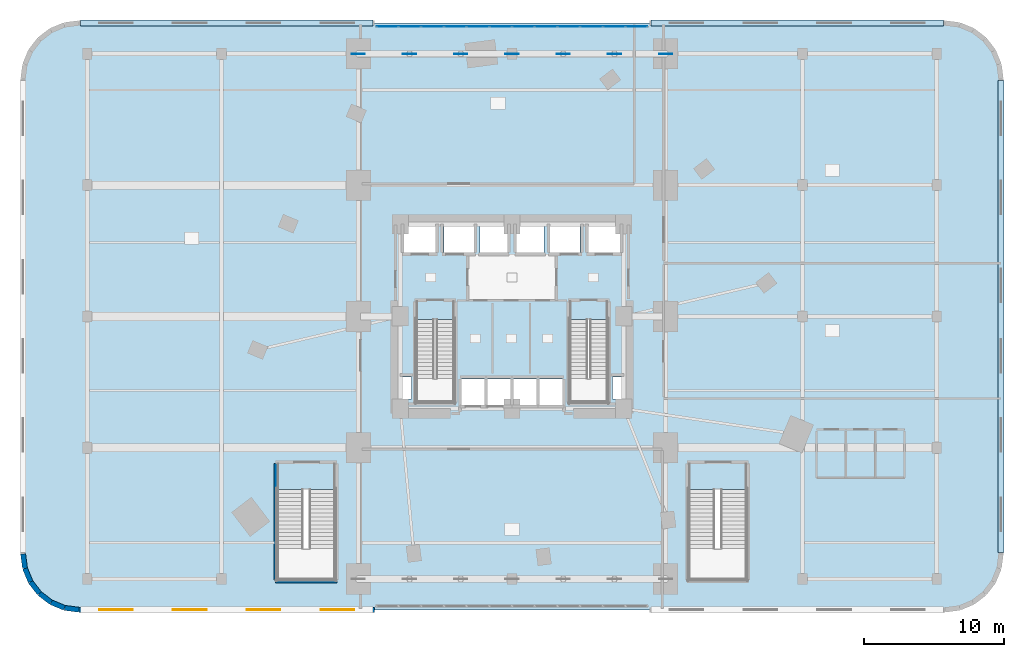
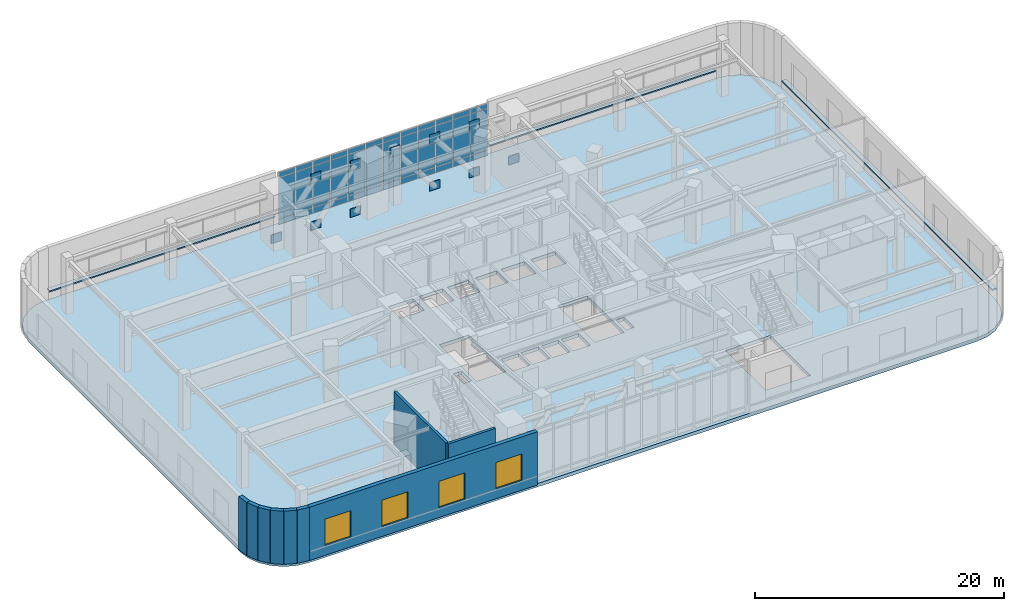
# One storey, part 12 of 19: 50 plates, 9 walls, 4 windows, 1 slab, 4 openings, 1 element without a shape of its own.
"""IFC4 building model written with IfcOpenShell, lengths in metres."""

from ifc_helpers import new_model, si_unit, direction, frame, frame_2d, origin, origin_2d, place, context, subcontext, project, spatial, polyline, rectangle, outline, extrude, material, layer, layer_set, type_object, element, fill, aggregate, save


model = new_model("IFC4")

# Units and contexts
model_context = context("Model", 3, precision=1e-05, world=origin(), true_north=direction((0.0, 1.0)))
body_context = subcontext(model_context, "Body", "Model", "MODEL_VIEW")
ifc_project = project(units=[si_unit("LENGTHUNIT", "METRE"), si_unit("AREAUNIT", "SQUARE_METRE"), si_unit("VOLUMEUNIT", "CUBIC_METRE"), si_unit("PLANEANGLEUNIT", "RADIAN"), si_unit("MASSUNIT", "GRAM", prefix="KILO")], contexts=[model_context])

# Site, building, storey
site_placement = place(None, origin())
site = spatial("IfcSite", under=ifc_project, at=site_placement, CompositionType="ELEMENT")
building_placement = place(site_placement, origin())
building = spatial("IfcBuilding", under=site, at=building_placement, Name="Ndelora Gate Hotel", CompositionType="ELEMENT")
storey_placement = place(building_placement, frame((0.0, 0.0, 16.0)))
storey = spatial("IfcBuildingStorey", under=building, at=storey_placement, Name="L03", CompositionType="ELEMENT", Elevation=16.0)

# Curtain wall, plates
ifc_material_1 = material(Name="Bronze Anodised Unitised Aluminium and Low-E Glass", Category="aluminium")
ifc_layer_1 = layer(ifc_material_1, 0.219970703125)
ifc_layer_set_1 = layer_set([ifc_layer_1], Name="Bronze Anodised Unitised Aluminium and Low-E Glass")
curtain_wall_type = type_object("IfcCurtainWallType", Name="CW-SYS-2", PredefinedType="NOTDEFINED", material=ifc_layer_set_1)
curtain_wall_placement = place(storey_placement, origin())
curtain_wall = element("IfcCurtainWall", 1, at=curtain_wall_placement, inside=storey, type_object=curtain_wall_type, Name="L03 North Banquet Pre-Function Curtain Wall CW2", PredefinedType="NOTDEFINED")
ifc_material_2 = material(Name="Solar-Control Low-E Insulated Glazing", Category="glass")
ifc_layer_2 = layer(ifc_material_2, 0.048095703125)
ifc_layer_set_2 = layer_set([ifc_layer_2], Name="Solar-Control Low-E Insulated Glazing")
plate_type_1 = type_object("IfcPlateType", Name="PL-CW-GLZ36", PredefinedType="CURTAIN_PANEL", material=ifc_layer_set_2)
plate_1_placement = place(storey_placement, frame((8.919921875, 20.75, 0.05908203125), z_axis=(0.0, 0.0, 1.0), x_axis=(-1.0, 0.0, 0.0)))
plate_1 = element("IfcPlate", 2, at=plate_1_placement, type_object=plate_type_1, Name="CW2 panel 1.1", PredefinedType="CURTAIN_PANEL", context=body_context, shape_type="SweptSolid", body=[
    extrude(rectangle(XDim=1.531982421875, YDim=0.048095703125, at=origin_2d()), origin(), (0.0, 0.0, 1.0), 0.514404296875),
])
plate_2_placement = place(storey_placement, frame((8.919921875, 20.75, 0.62646484375), z_axis=(0.0, 0.0, 1.0), x_axis=(-1.0, 0.0, 0.0)))
plate_2 = element("IfcPlate", 3, at=plate_2_placement, type_object=plate_type_1, Name="CW2 panel 1.2", PredefinedType="CURTAIN_PANEL", context=body_context, shape_type="SweptSolid", body=[
    extrude(rectangle(XDim=1.531982421875, YDim=0.048095703125, at=origin_2d()), origin(), (0.0, 0.0, 1.0), 4.01708984375),
])
plate_3_placement = place(storey_placement, frame((8.919921875, 20.75, 4.6962890625), z_axis=(0.0, 0.0, 1.0), x_axis=(-1.0, 0.0, 0.0)))
plate_3 = element("IfcPlate", 4, at=plate_3_placement, type_object=plate_type_1, Name="CW2 panel 1.3", PredefinedType="CURTAIN_PANEL", context=body_context, shape_type="SweptSolid", body=[
    extrude(rectangle(XDim=1.531982421875, YDim=0.048095703125, at=origin_2d()), origin(), (0.0, 0.0, 1.0), 0.464599609375),
])
plate_4_placement = place(storey_placement, frame((7.3125, 20.75, 0.05908203125), z_axis=(0.0, 0.0, 1.0), x_axis=(-1.0, 0.0, 0.0)))
plate_4 = element("IfcPlate", 5, at=plate_4_placement, type_object=plate_type_1, Name="CW2 panel 2.1", PredefinedType="CURTAIN_PANEL", context=body_context, shape_type="SweptSolid", body=[
    extrude(rectangle(XDim=1.56689453125, YDim=0.048095703125, at=origin_2d()), origin(), (0.0, 0.0, 1.0), 0.514404296875),
])
plate_5_placement = place(storey_placement, frame((7.3125, 20.75, 0.62646484375), z_axis=(0.0, 0.0, 1.0), x_axis=(-1.0, 0.0, 0.0)))
plate_5 = element("IfcPlate", 6, at=plate_5_placement, type_object=plate_type_1, Name="CW2 panel 2.2", PredefinedType="CURTAIN_PANEL", context=body_context, shape_type="SweptSolid", body=[
    extrude(rectangle(XDim=1.56689453125, YDim=0.048095703125, at=origin_2d()), origin(), (0.0, 0.0, 1.0), 4.01708984375),
])
plate_6_placement = place(storey_placement, frame((7.3125, 20.75, 4.6962890625), z_axis=(0.0, 0.0, 1.0), x_axis=(-1.0, 0.0, 0.0)))
plate_6 = element("IfcPlate", 7, at=plate_6_placement, type_object=plate_type_1, Name="CW2 panel 2.3", PredefinedType="CURTAIN_PANEL", context=body_context, shape_type="SweptSolid", body=[
    extrude(rectangle(XDim=1.56689453125, YDim=0.048095703125, at=origin_2d()), origin(), (0.0, 0.0, 1.0), 0.464599609375),
])
plate_7_placement = place(storey_placement, frame((5.6875, 20.75, 0.05908203125), z_axis=(0.0, 0.0, 1.0), x_axis=(-1.0, 0.0, 0.0)))
plate_7 = element("IfcPlate", 8, at=plate_7_placement, type_object=plate_type_1, Name="CW2 panel 3.1", PredefinedType="CURTAIN_PANEL", context=body_context, shape_type="SweptSolid", body=[
    extrude(rectangle(XDim=1.56689453125, YDim=0.048095703125, at=origin_2d()), origin(), (0.0, 0.0, 1.0), 0.514404296875),
])
plate_8_placement = place(storey_placement, frame((5.6875, 20.75, 0.62646484375), z_axis=(0.0, 0.0, 1.0), x_axis=(-1.0, 0.0, 0.0)))
plate_8 = element("IfcPlate", 9, at=plate_8_placement, type_object=plate_type_1, Name="CW2 panel 3.2", PredefinedType="CURTAIN_PANEL", context=body_context, shape_type="SweptSolid", body=[
    extrude(rectangle(XDim=1.56689453125, YDim=0.048095703125, at=origin_2d()), origin(), (0.0, 0.0, 1.0), 4.01708984375),
])
plate_9_placement = place(storey_placement, frame((5.6875, 20.75, 4.6962890625), z_axis=(0.0, 0.0, 1.0), x_axis=(-1.0, 0.0, 0.0)))
plate_9 = element("IfcPlate", 10, at=plate_9_placement, type_object=plate_type_1, Name="CW2 panel 3.3", PredefinedType="CURTAIN_PANEL", context=body_context, shape_type="SweptSolid", body=[
    extrude(rectangle(XDim=1.56689453125, YDim=0.048095703125, at=origin_2d()), origin(), (0.0, 0.0, 1.0), 0.464599609375),
])
plate_10_placement = place(storey_placement, frame((4.0625, 20.75, 0.05908203125), z_axis=(0.0, 0.0, 1.0), x_axis=(-1.0, 0.0, 0.0)))
plate_10 = element("IfcPlate", 11, at=plate_10_placement, type_object=plate_type_1, Name="CW2 panel 4.1", PredefinedType="CURTAIN_PANEL", context=body_context, shape_type="SweptSolid", body=[
    extrude(rectangle(XDim=1.56689453125, YDim=0.048095703125, at=origin_2d()), origin(), (0.0, 0.0, 1.0), 0.514404296875),
])
plate_11_placement = place(storey_placement, frame((4.0625, 20.75, 0.62646484375), z_axis=(0.0, 0.0, 1.0), x_axis=(-1.0, 0.0, 0.0)))
plate_11 = element("IfcPlate", 12, at=plate_11_placement, type_object=plate_type_1, Name="CW2 panel 4.2", PredefinedType="CURTAIN_PANEL", context=body_context, shape_type="SweptSolid", body=[
    extrude(rectangle(XDim=1.56689453125, YDim=0.048095703125, at=origin_2d()), origin(), (0.0, 0.0, 1.0), 4.01708984375),
])
plate_12_placement = place(storey_placement, frame((4.0625, 20.75, 4.6962890625), z_axis=(0.0, 0.0, 1.0), x_axis=(-1.0, 0.0, 0.0)))
plate_12 = element("IfcPlate", 13, at=plate_12_placement, type_object=plate_type_1, Name="CW2 panel 4.3", PredefinedType="CURTAIN_PANEL", context=body_context, shape_type="SweptSolid", body=[
    extrude(rectangle(XDim=1.56689453125, YDim=0.048095703125, at=origin_2d()), origin(), (0.0, 0.0, 1.0), 0.464599609375),
])
plate_13_placement = place(storey_placement, frame((2.4375, 20.75, 0.05908203125), z_axis=(0.0, 0.0, 1.0), x_axis=(-1.0, 0.0, 0.0)))
plate_13 = element("IfcPlate", 14, at=plate_13_placement, type_object=plate_type_1, Name="CW2 panel 5.1", PredefinedType="CURTAIN_PANEL", context=body_context, shape_type="SweptSolid", body=[
    extrude(rectangle(XDim=1.56689453125, YDim=0.048095703125, at=origin_2d()), origin(), (0.0, 0.0, 1.0), 0.514404296875),
])
plate_14_placement = place(storey_placement, frame((2.4375, 20.75, 0.62646484375), z_axis=(0.0, 0.0, 1.0), x_axis=(-1.0, 0.0, 0.0)))
plate_14 = element("IfcPlate", 15, at=plate_14_placement, type_object=plate_type_1, Name="CW2 panel 5.2", PredefinedType="CURTAIN_PANEL", context=body_context, shape_type="SweptSolid", body=[
    extrude(rectangle(XDim=1.56689453125, YDim=0.048095703125, at=origin_2d()), origin(), (0.0, 0.0, 1.0), 4.01708984375),
])
plate_15_placement = place(storey_placement, frame((2.4375, 20.75, 4.6962890625), z_axis=(0.0, 0.0, 1.0), x_axis=(-1.0, 0.0, 0.0)))
plate_15 = element("IfcPlate", 16, at=plate_15_placement, type_object=plate_type_1, Name="CW2 panel 5.3", PredefinedType="CURTAIN_PANEL", context=body_context, shape_type="SweptSolid", body=[
    extrude(rectangle(XDim=1.56689453125, YDim=0.048095703125, at=origin_2d()), origin(), (0.0, 0.0, 1.0), 0.464599609375),
])
plate_16_placement = place(storey_placement, frame((0.8125, 20.75, 0.05908203125), z_axis=(0.0, 0.0, 1.0), x_axis=(-1.0, 0.0, 0.0)))
plate_16 = element("IfcPlate", 17, at=plate_16_placement, type_object=plate_type_1, Name="CW2 panel 6.1", PredefinedType="CURTAIN_PANEL", context=body_context, shape_type="SweptSolid", body=[
    extrude(rectangle(XDim=1.56689453125, YDim=0.048095703125, at=origin_2d()), origin(), (0.0, 0.0, 1.0), 0.514404296875),
])
plate_17_placement = place(storey_placement, frame((0.8125, 20.75, 0.62646484375), z_axis=(0.0, 0.0, 1.0), x_axis=(-1.0, 0.0, 0.0)))
plate_17 = element("IfcPlate", 18, at=plate_17_placement, type_object=plate_type_1, Name="CW2 panel 6.2", PredefinedType="CURTAIN_PANEL", context=body_context, shape_type="SweptSolid", body=[
    extrude(rectangle(XDim=1.56689453125, YDim=0.048095703125, at=origin_2d()), origin(), (0.0, 0.0, 1.0), 4.01708984375),
])
plate_18_placement = place(storey_placement, frame((0.8125, 20.75, 4.6962890625), z_axis=(0.0, 0.0, 1.0), x_axis=(-1.0, 0.0, 0.0)))
plate_18 = element("IfcPlate", 19, at=plate_18_placement, type_object=plate_type_1, Name="CW2 panel 6.3", PredefinedType="CURTAIN_PANEL", context=body_context, shape_type="SweptSolid", body=[
    extrude(rectangle(XDim=1.56689453125, YDim=0.048095703125, at=origin_2d()), origin(), (0.0, 0.0, 1.0), 0.464599609375),
])
plate_19_placement = place(storey_placement, frame((-0.8125, 20.75, 0.05908203125), z_axis=(0.0, 0.0, 1.0), x_axis=(-1.0, 0.0, 0.0)))
plate_19 = element("IfcPlate", 20, at=plate_19_placement, type_object=plate_type_1, Name="CW2 panel 7.1", PredefinedType="CURTAIN_PANEL", context=body_context, shape_type="SweptSolid", body=[
    extrude(rectangle(XDim=1.56689453125, YDim=0.048095703125, at=origin_2d()), origin(), (0.0, 0.0, 1.0), 0.514404296875),
])
plate_20_placement = place(storey_placement, frame((-0.8125, 20.75, 0.62646484375), z_axis=(0.0, 0.0, 1.0), x_axis=(-1.0, 0.0, 0.0)))
plate_20 = element("IfcPlate", 21, at=plate_20_placement, type_object=plate_type_1, Name="CW2 panel 7.2", PredefinedType="CURTAIN_PANEL", context=body_context, shape_type="SweptSolid", body=[
    extrude(rectangle(XDim=1.56689453125, YDim=0.048095703125, at=origin_2d()), origin(), (0.0, 0.0, 1.0), 4.01708984375),
])
plate_21_placement = place(storey_placement, frame((-0.8125, 20.75, 4.6962890625), z_axis=(0.0, 0.0, 1.0), x_axis=(-1.0, 0.0, 0.0)))
plate_21 = element("IfcPlate", 22, at=plate_21_placement, type_object=plate_type_1, Name="CW2 panel 7.3", PredefinedType="CURTAIN_PANEL", context=body_context, shape_type="SweptSolid", body=[
    extrude(rectangle(XDim=1.56689453125, YDim=0.048095703125, at=origin_2d()), origin(), (0.0, 0.0, 1.0), 0.464599609375),
])
plate_22_placement = place(storey_placement, frame((-2.4375, 20.75, 0.05908203125), z_axis=(0.0, 0.0, 1.0), x_axis=(-1.0, 0.0, 0.0)))
plate_22 = element("IfcPlate", 23, at=plate_22_placement, type_object=plate_type_1, Name="CW2 panel 8.1", PredefinedType="CURTAIN_PANEL", context=body_context, shape_type="SweptSolid", body=[
    extrude(rectangle(XDim=1.56689453125, YDim=0.048095703125, at=origin_2d()), origin(), (0.0, 0.0, 1.0), 0.514404296875),
])
plate_23_placement = place(storey_placement, frame((-2.4375, 20.75, 0.62646484375), z_axis=(0.0, 0.0, 1.0), x_axis=(-1.0, 0.0, 0.0)))
plate_23 = element("IfcPlate", 24, at=plate_23_placement, type_object=plate_type_1, Name="CW2 panel 8.2", PredefinedType="CURTAIN_PANEL", context=body_context, shape_type="SweptSolid", body=[
    extrude(rectangle(XDim=1.56689453125, YDim=0.048095703125, at=origin_2d()), origin(), (0.0, 0.0, 1.0), 4.01708984375),
])
plate_24_placement = place(storey_placement, frame((-2.4375, 20.75, 4.6962890625), z_axis=(0.0, 0.0, 1.0), x_axis=(-1.0, 0.0, 0.0)))
plate_24 = element("IfcPlate", 25, at=plate_24_placement, type_object=plate_type_1, Name="CW2 panel 8.3", PredefinedType="CURTAIN_PANEL", context=body_context, shape_type="SweptSolid", body=[
    extrude(rectangle(XDim=1.56689453125, YDim=0.048095703125, at=origin_2d()), origin(), (0.0, 0.0, 1.0), 0.464599609375),
])
plate_25_placement = place(storey_placement, frame((-4.0625, 20.75, 0.05908203125), z_axis=(0.0, 0.0, 1.0), x_axis=(-1.0, 0.0, 0.0)))
plate_25 = element("IfcPlate", 26, at=plate_25_placement, type_object=plate_type_1, Name="CW2 panel 9.1", PredefinedType="CURTAIN_PANEL", context=body_context, shape_type="SweptSolid", body=[
    extrude(rectangle(XDim=1.56689453125, YDim=0.048095703125, at=origin_2d()), origin(), (0.0, 0.0, 1.0), 0.514404296875),
])
plate_26_placement = place(storey_placement, frame((-4.0625, 20.75, 0.62646484375), z_axis=(0.0, 0.0, 1.0), x_axis=(-1.0, 0.0, 0.0)))
plate_26 = element("IfcPlate", 27, at=plate_26_placement, type_object=plate_type_1, Name="CW2 panel 9.2", PredefinedType="CURTAIN_PANEL", context=body_context, shape_type="SweptSolid", body=[
    extrude(rectangle(XDim=1.56689453125, YDim=0.048095703125, at=origin_2d()), origin(), (0.0, 0.0, 1.0), 4.01708984375),
])
plate_27_placement = place(storey_placement, frame((-4.0625, 20.75, 4.6962890625), z_axis=(0.0, 0.0, 1.0), x_axis=(-1.0, 0.0, 0.0)))
plate_27 = element("IfcPlate", 28, at=plate_27_placement, type_object=plate_type_1, Name="CW2 panel 9.3", PredefinedType="CURTAIN_PANEL", context=body_context, shape_type="SweptSolid", body=[
    extrude(rectangle(XDim=1.56689453125, YDim=0.048095703125, at=origin_2d()), origin(), (0.0, 0.0, 1.0), 0.464599609375),
])
plate_28_placement = place(storey_placement, frame((-5.6875, 20.75, 0.05908203125), z_axis=(0.0, 0.0, 1.0), x_axis=(-1.0, 0.0, 0.0)))
plate_28 = element("IfcPlate", 29, at=plate_28_placement, type_object=plate_type_1, Name="CW2 panel 10.1", PredefinedType="CURTAIN_PANEL", context=body_context, shape_type="SweptSolid", body=[
    extrude(rectangle(XDim=1.56689453125, YDim=0.048095703125, at=origin_2d()), origin(), (0.0, 0.0, 1.0), 0.514404296875),
])
plate_29_placement = place(storey_placement, frame((-5.6875, 20.75, 0.62646484375), z_axis=(0.0, 0.0, 1.0), x_axis=(-1.0, 0.0, 0.0)))
plate_29 = element("IfcPlate", 30, at=plate_29_placement, type_object=plate_type_1, Name="CW2 panel 10.2", PredefinedType="CURTAIN_PANEL", context=body_context, shape_type="SweptSolid", body=[
    extrude(rectangle(XDim=1.56689453125, YDim=0.048095703125, at=origin_2d()), origin(), (0.0, 0.0, 1.0), 4.01708984375),
])
plate_30_placement = place(storey_placement, frame((-5.6875, 20.75, 4.6962890625), z_axis=(0.0, 0.0, 1.0), x_axis=(-1.0, 0.0, 0.0)))
plate_30 = element("IfcPlate", 31, at=plate_30_placement, type_object=plate_type_1, Name="CW2 panel 10.3", PredefinedType="CURTAIN_PANEL", context=body_context, shape_type="SweptSolid", body=[
    extrude(rectangle(XDim=1.56689453125, YDim=0.048095703125, at=origin_2d()), origin(), (0.0, 0.0, 1.0), 0.464599609375),
])
plate_31_placement = place(storey_placement, frame((-7.3125, 20.75, 0.05908203125), z_axis=(0.0, 0.0, 1.0), x_axis=(-1.0, 0.0, 0.0)))
plate_31 = element("IfcPlate", 32, at=plate_31_placement, type_object=plate_type_1, Name="CW2 panel 11.1", PredefinedType="CURTAIN_PANEL", context=body_context, shape_type="SweptSolid", body=[
    extrude(rectangle(XDim=1.56689453125, YDim=0.048095703125, at=origin_2d()), origin(), (0.0, 0.0, 1.0), 0.514404296875),
])
plate_32_placement = place(storey_placement, frame((-7.3125, 20.75, 0.62646484375), z_axis=(0.0, 0.0, 1.0), x_axis=(-1.0, 0.0, 0.0)))
plate_32 = element("IfcPlate", 33, at=plate_32_placement, type_object=plate_type_1, Name="CW2 panel 11.2", PredefinedType="CURTAIN_PANEL", context=body_context, shape_type="SweptSolid", body=[
    extrude(rectangle(XDim=1.56689453125, YDim=0.048095703125, at=origin_2d()), origin(), (0.0, 0.0, 1.0), 4.01708984375),
])
plate_33_placement = place(storey_placement, frame((-7.3125, 20.75, 4.6962890625), z_axis=(0.0, 0.0, 1.0), x_axis=(-1.0, 0.0, 0.0)))
plate_33 = element("IfcPlate", 34, at=plate_33_placement, type_object=plate_type_1, Name="CW2 panel 11.3", PredefinedType="CURTAIN_PANEL", context=body_context, shape_type="SweptSolid", body=[
    extrude(rectangle(XDim=1.56689453125, YDim=0.048095703125, at=origin_2d()), origin(), (0.0, 0.0, 1.0), 0.464599609375),
])
plate_34_placement = place(storey_placement, frame((-8.919921875, 20.75, 0.05908203125), z_axis=(0.0, 0.0, 1.0), x_axis=(-1.0, 0.0, 0.0)))
plate_34 = element("IfcPlate", 35, at=plate_34_placement, type_object=plate_type_1, Name="CW2 panel 12.1", PredefinedType="CURTAIN_PANEL", context=body_context, shape_type="SweptSolid", body=[
    extrude(rectangle(XDim=1.531982421875, YDim=0.048095703125, at=origin_2d()), origin(), (0.0, 0.0, 1.0), 0.514404296875),
])
plate_35_placement = place(storey_placement, frame((-8.919921875, 20.75, 0.62646484375), z_axis=(0.0, 0.0, 1.0), x_axis=(-1.0, 0.0, 0.0)))
plate_35 = element("IfcPlate", 36, at=plate_35_placement, type_object=plate_type_1, Name="CW2 panel 12.2", PredefinedType="CURTAIN_PANEL", context=body_context, shape_type="SweptSolid", body=[
    extrude(rectangle(XDim=1.531982421875, YDim=0.048095703125, at=origin_2d()), origin(), (0.0, 0.0, 1.0), 4.01708984375),
])
plate_36_placement = place(storey_placement, frame((-8.919921875, 20.75, 4.6962890625), z_axis=(0.0, 0.0, 1.0), x_axis=(-1.0, 0.0, 0.0)))
plate_36 = element("IfcPlate", 37, at=plate_36_placement, type_object=plate_type_1, Name="CW2 panel 12.3", PredefinedType="CURTAIN_PANEL", context=body_context, shape_type="SweptSolid", body=[
    extrude(rectangle(XDim=1.531982421875, YDim=0.048095703125, at=origin_2d()), origin(), (0.0, 0.0, 1.0), 0.464599609375),
])
aggregate(curtain_wall, [plate_1, plate_2, plate_3, plate_4, plate_5, plate_6, plate_7, plate_8, plate_9, plate_10, plate_11, plate_12, plate_13, plate_14, plate_15, plate_16, plate_17, plate_18, plate_19, plate_20, plate_21, plate_22, plate_23, plate_24, plate_25, plate_26, plate_27, plate_28, plate_29, plate_30, plate_31, plate_32, plate_33, plate_34, plate_35, plate_36])

# Plates
ifc_material_3 = material(Name="Steel S460", Category="steel")
ifc_layer_3 = layer(ifc_material_3, 0.0400390625)
ifc_layer_set_3 = layer_set([ifc_layer_3], Name="Steel S460")
plate_type_2 = type_object("IfcPlateType", Name="PL-NODE-TN1", PredefinedType="USERDEFINED", material=ifc_layer_set_3)
for number, where, z_axis, x_axis, name in (
    (38, (-11.0, 18.800048828125, -0.125), (0.0, 0.0, 1.0), (1.0, 0.0, 0.0), "Node gusset cap plate TN1"),
    (39, (-7.333251953125, 18.800048828125, 4.5751953125), (0.0, 0.0, 1.0), (1.0, 0.0, 0.0), "Node gusset cap plate TN1"),
    (40, (-7.333251953125, 18.800048828125, -0.125), (0.0, 0.0, 1.0), (1.0, 0.0, 0.0), "Node gusset cap plate TN1"),
    (41, (-3.666748046875, 18.800048828125, 4.5751953125), (0.0, 0.0, 1.0), (1.0, 0.0, 0.0), "Node gusset cap plate TN1"),
    (42, (-3.666748046875, 18.800048828125, -0.125), (0.0, 0.0, 1.0), (1.0, 0.0, 0.0), "Node gusset cap plate TN1"),
    (43, (0.0, 18.800048828125, 4.5751953125), (0.0, 0.0, 1.0), (1.0, 0.0, 0.0), "Node gusset cap plate TN1"),
    (44, (3.666748046875, 18.800048828125, -0.125), (0.0, 0.0, 1.0), (1.0, 0.0, 0.0), "Node gusset cap plate TN1"),
    (45, (3.666748046875, 18.800048828125, 4.5751953125), (0.0, 0.0, 1.0), (1.0, 0.0, 0.0), "Node gusset cap plate TN1"),
    (46, (7.333251953125, 18.800048828125, -0.125), (0.0, 0.0, 1.0), (1.0, 0.0, 0.0), "Node gusset cap plate TN1"),
    (47, (7.333251953125, 18.800048828125, 4.5751953125), (0.0, 0.0, 1.0), (1.0, 0.0, 0.0), "Node gusset cap plate TN1"),
    (48, (11.0, 18.800048828125, -0.125), (0.0, 0.0, 1.0), (1.0, 0.0, 0.0), "Node gusset cap plate TN1"),
):
    element("IfcPlate", number, at=place(storey_placement, frame(where, z_axis=z_axis, x_axis=x_axis)), inside=storey, type_object=plate_type_2, Name=name, ObjectType="GUSSET_PLATE", PredefinedType="USERDEFINED", context=body_context, shape_type="SweptSolid", body=[
        extrude(rectangle(XDim=0.949951171875, YDim=0.0400390625, at=origin_2d()), origin(), (0.0, 0.0, 1.0), 0.949951171875),
    ])
ifc_material_4 = material(Name="Precast concrete C40/50", Category="concrete")
ifc_layer_4 = layer(ifc_material_4, 0.125)
ifc_layer_set_4 = layer_set([ifc_layer_4], Name="Precast concrete C40/50")
plate_type_3 = type_object("IfcPlateType", Name="PL-SILL-120", PredefinedType="USERDEFINED", material=ifc_layer_set_4)
plate_37_placement = place(storey_placement, frame((35.0, 0.0, 0.8173828125), z_axis=(0.0, 0.0, 1.0), x_axis=(0.0, 1.0, 0.0)))
element("IfcPlate", 49, at=plate_37_placement, inside=storey, type_object=plate_type_3, Name="L03 Precast Concrete Ribbon Sill Band 7", ObjectType="RIBBON_SILL", PredefinedType="USERDEFINED", context=body_context, shape_type="SweptSolid", body=[
    extrude(rectangle(XDim=33.800048828125, YDim=0.43994140625, at=origin_2d()), origin(), (0.0, 0.0, 1.0), 0.125),
])
for number, where, z_axis, x_axis, name in (
    (50, (-20.425048828125, 21.0, 0.8173828125), (0.0, 0.0, 1.0), (1.0, 0.0, 0.0), "L03 Precast Concrete Ribbon Sill Band 14"),
    (51, (20.425048828125, 21.0, 0.8173828125), (0.0, 0.0, 1.0), (1.0, 0.0, 0.0), "L03 Precast Concrete Ribbon Sill Band 15"),
):
    element("IfcPlate", number, at=place(storey_placement, frame(where, z_axis=z_axis, x_axis=x_axis)), inside=storey, type_object=plate_type_3, Name=name, ObjectType="RIBBON_SILL", PredefinedType="USERDEFINED", context=body_context, shape_type="SweptSolid", body=[
        extrude(rectangle(XDim=20.949951171875, YDim=0.43994140625, at=origin_2d()), origin(), (0.0, 0.0, 1.0), 0.125),
    ])

# Slab
ifc_material_5 = material(Name="Concrete C50/60", Category="concrete")
ifc_layer_5 = layer(ifc_material_5, 0.340087890625)
ifc_layer_set_5 = layer_set([ifc_layer_5], Name="Concrete C50/60")
slab_type = type_object("IfcSlabType", Name="SL-BALL-340", PredefinedType="FLOOR", material=ifc_layer_set_5)
slab_placement = place(storey_placement, frame((0.0, 0.0, -0.340087890625)))
element("IfcSlab", 52, at=slab_placement, inside=storey, type_object=slab_type, Name="L03 Structural Floor Slab", PredefinedType="FLOOR", context=body_context, shape_type="SweptSolid", body=[
    extrude(outline(polyline([(31.0, -21.0), (32.035400390625, -20.86376953125), (33.0, -20.464111328125), (33.828369140625, -19.828369140625), (34.464111328125, -19.0), (34.86376953125, -18.035400390625), (35.0, -17.0), (35.0, 17.0), (34.86376953125, 18.035400390625), (34.464111328125, 19.0), (33.828369140625, 19.828369140625), (33.0, 20.464111328125), (32.035400390625, 20.86376953125), (31.0, 21.0), (-31.0, 21.0), (-32.035400390625, 20.86376953125), (-33.0, 20.464111328125), (-33.828369140625, 19.828369140625), (-34.464111328125, 19.0), (-34.86376953125, 18.035400390625), (-35.0, 17.0), (-35.0, -17.0), (-34.86376953125, -18.035400390625), (-34.464111328125, -19.0), (-33.828369140625, -19.828369140625), (-33.0, -20.464111328125), (-32.035400390625, -20.86376953125), (-31.0, -21.0), (31.0, -21.0)]), holes=[polyline([(-6.85009765625, -0.22998046875), (-6.85009765625, -6.14990234375), (-4.1298828125, -6.14990234375), (-4.1298828125, -0.22998046875), (-6.85009765625, -0.22998046875)]), polyline([(4.1298828125, -0.22998046875), (4.1298828125, -6.14990234375), (6.85009765625, -6.14990234375), (6.85009765625, -0.22998046875), (4.1298828125, -0.22998046875)]), polyline([(-16.800048828125, -12.39990234375), (-16.800048828125, -18.85009765625), (-12.659912109375, -18.85009765625), (-12.659912109375, -12.39990234375), (-16.800048828125, -12.39990234375)]), polyline([(12.659912109375, -12.39990234375), (12.659912109375, -18.85009765625), (16.800048828125, -18.85009765625), (16.800048828125, -12.39990234375), (12.659912109375, -12.39990234375)]), polyline([(-7.72998046875, 4.570068359375), (-5.469970703125, 4.570068359375), (-5.469970703125, 6.429931640625), (-7.72998046875, 6.429931640625), (-7.72998046875, 4.570068359375)]), polyline([(5.469970703125, 4.570068359375), (7.72998046875, 4.570068359375), (7.72998046875, 6.429931640625), (5.469970703125, 6.429931640625), (5.469970703125, 4.570068359375)]), polyline([(-4.8798828125, 4.570068359375), (-2.719970703125, 4.570068359375), (-2.719970703125, 6.429931640625), (-4.8798828125, 6.429931640625), (-4.8798828125, 4.570068359375)]), polyline([(2.719970703125, 4.570068359375), (4.8798828125, 4.570068359375), (4.8798828125, 6.429931640625), (2.719970703125, 6.429931640625), (2.719970703125, 4.570068359375)]), polyline([(-3.60009765625, -6.330078125), (-1.97998046875, -6.330078125), (-1.97998046875, -4.469970703125), (-3.60009765625, -4.469970703125), (-3.60009765625, -6.330078125)]), polyline([(-1.739990234375, -6.330078125), (-0.1201171875, -6.330078125), (-0.1201171875, -4.469970703125), (-1.739990234375, -4.469970703125), (-1.739990234375, -6.330078125)]), polyline([(0.1201171875, -6.330078125), (1.739990234375, -6.330078125), (1.739990234375, -4.469970703125), (0.1201171875, -4.469970703125), (0.1201171875, -6.330078125)]), polyline([(1.97998046875, -6.330078125), (3.60009765625, -6.330078125), (3.60009765625, -4.469970703125), (1.97998046875, -4.469970703125), (1.97998046875, -6.330078125)]), polyline([(-2.280029296875, 4.570068359375), (-0.320068359375, 4.570068359375), (-0.320068359375, 6.429931640625), (-2.280029296875, 6.429931640625), (-2.280029296875, 4.570068359375)]), polyline([(0.320068359375, 4.570068359375), (2.280029296875, 4.570068359375), (2.280029296875, 6.429931640625), (0.320068359375, 6.429931640625), (0.320068359375, 4.570068359375)]), polyline([(-7.89990234375, -5.919921875), (-7.179931640625, -5.919921875), (-7.179931640625, -4.320068359375), (-7.89990234375, -4.320068359375), (-7.89990234375, -5.919921875)]), polyline([(7.179931640625, -5.919921875), (7.89990234375, -5.919921875), (7.89990234375, -4.320068359375), (7.179931640625, -4.320068359375), (7.179931640625, -5.919921875)])]), origin(), (0.0, 0.0, 1.0), 0.340087890625),
])

# Walls
ifc_material_6 = material(Name="Clay Brick Masonry", Category="masonry")
ifc_layer_6 = layer(ifc_material_6, 0.360107421875)
ifc_layer_set_6 = layer_set([ifc_layer_6], Name="Clay Brick Masonry")
wall_type_1 = type_object("IfcWallType", Name="WL-BRICK-360", PredefinedType="SOLIDWALL", material=ifc_layer_set_6)
wall_1_placement = place(storey_placement, frame((-34.86376953125, -18.035400390625, 0.0), z_axis=(0.0, 0.0, 1.0), x_axis=(-0.130448465198, 0.991455091231, 0.0)))
element("IfcWall", 53, at=wall_1_placement, inside=storey, type_object=wall_type_1, Name="L03 Exterior Brick Pier-and-Spandrel Wall 23", PredefinedType="SOLIDWALL", context=body_context, shape_type="SweptSolid", body=[
    extrude(rectangle(XDim=1.04443359375, YDim=0.360107421875, at=frame_2d((0.522216796875, 0.0))), origin(), (0.0, 0.0, 1.0), 5.219970703125),
])
for number, where, z_axis, x_axis, name in (
    (54, (-34.464111328125, -19.0, 0.0), (0.0, 0.0, 1.0), (-0.382771688877, 0.923842970528, 0.0), "L03 Exterior Brick Pier-and-Spandrel Wall 24"),
    (55, (-33.828369140625, -19.828369140625, 0.0), (0.0, 0.0, 1.0), (-0.608829050876, 0.793301447628, 0.0), "L03 Exterior Brick Pier-and-Spandrel Wall 25"),
    (56, (-33.0, -20.464111328125, 0.0), (0.0, 0.0, 1.0), (-0.793301447628, 0.608829050876, 0.0), "L03 Exterior Brick Pier-and-Spandrel Wall 26"),
    (57, (-32.035400390625, -20.86376953125, 0.0), (0.0, 0.0, 1.0), (-0.923842970528, 0.382771688877, 0.0), "L03 Exterior Brick Pier-and-Spandrel Wall 27"),
):
    element("IfcWall", number, at=place(storey_placement, frame(where, z_axis=z_axis, x_axis=x_axis)), inside=storey, type_object=wall_type_1, Name=name, PredefinedType="SOLIDWALL", context=body_context, shape_type="SweptSolid", body=[
        extrude(rectangle(XDim=1.044189453125, YDim=0.360107421875, at=frame_2d((0.52197265625, 0.0))), origin(), (0.0, 0.0, 1.0), 5.219970703125),
    ])
wall_2_placement = place(storey_placement, frame((-31.0, -21.0, 0.0), z_axis=(0.0, 0.0, 1.0), x_axis=(-0.991455091231, 0.130448465198, 0.0)))
element("IfcWall", 58, at=wall_2_placement, inside=storey, type_object=wall_type_1, Name="L03 Exterior Brick Pier-and-Spandrel Wall 28", PredefinedType="SOLIDWALL", context=body_context, shape_type="SweptSolid", body=[
    extrude(rectangle(XDim=1.04443359375, YDim=0.360107421875, at=frame_2d((0.522216796875, 0.0))), origin(), (0.0, 0.0, 1.0), 5.219970703125),
])

# Wall, openings, windows
wall_3_placement = place(storey_placement, frame((-9.85009765625, -21.0, 0.0), z_axis=(0.0, 0.0, 1.0), x_axis=(-1.0, 0.0, 0.0)))
wall_3 = element("IfcWall", 59, at=wall_3_placement, inside=storey, type_object=wall_type_1, Name="L03 Exterior Brick Pier-and-Spandrel Wall 29", PredefinedType="SOLIDWALL", context=body_context, shape_type="SweptSolid", body=[
    extrude(rectangle(XDim=21.14990234375, YDim=0.360107421875, at=frame_2d((10.574951171875, 0.0))), origin(), (0.0, 0.0, 1.0), 5.219970703125),
])
opening_1_placement = place(wall_3_placement, frame((1.443603515625, 0.0, 0.949951171875)))
opening_1 = element("IfcOpeningElement", 60, at=opening_1_placement, cuts=wall_3, Name="Opening W04", PredefinedType="OPENING", context=body_context, shape_type="SweptSolid", body=[
    extrude(rectangle(XDim=2.39990234375, YDim=2.60009765625, at=frame_2d((1.199951171875, 1.300048828125))), frame((0.0, 0.18994140625, 0.0), z_axis=(0.0, -1.0, 0.0), x_axis=(1.0, 0.0, 0.0)), (0.0, 0.0, 1.0), 0.380126953125),
])
opening_2_placement = place(wall_3_placement, frame((6.731201171875, 0.0, 0.949951171875)))
opening_2 = element("IfcOpeningElement", 61, at=opening_2_placement, cuts=wall_3, Name="Opening W04", PredefinedType="OPENING", context=body_context, shape_type="SweptSolid", body=[
    extrude(rectangle(XDim=2.39990234375, YDim=2.60009765625, at=frame_2d((1.199951171875, 1.300048828125))), frame((0.0, 0.18994140625, 0.0), z_axis=(0.0, -1.0, 0.0), x_axis=(1.0, 0.0, 0.0)), (0.0, 0.0, 1.0), 0.380126953125),
])
opening_3_placement = place(wall_3_placement, frame((12.018798828125, 0.0, 0.949951171875)))
opening_3 = element("IfcOpeningElement", 62, at=opening_3_placement, cuts=wall_3, Name="Opening W04", PredefinedType="OPENING", context=body_context, shape_type="SweptSolid", body=[
    extrude(rectangle(XDim=2.39990234375, YDim=2.60009765625, at=frame_2d((1.199951171875, 1.300048828125))), frame((0.0, 0.18994140625, 0.0), z_axis=(0.0, -1.0, 0.0), x_axis=(1.0, 0.0, 0.0)), (0.0, 0.0, 1.0), 0.380126953125),
])
opening_4_placement = place(wall_3_placement, frame((17.30615234375, 0.0, 0.949951171875)))
opening_4 = element("IfcOpeningElement", 63, at=opening_4_placement, cuts=wall_3, Name="Opening W04", PredefinedType="OPENING", context=body_context, shape_type="SweptSolid", body=[
    extrude(rectangle(XDim=2.39990234375, YDim=2.60009765625, at=frame_2d((1.199951171875, 1.300048828125))), frame((0.0, 0.18994140625, 0.0), z_axis=(0.0, -1.0, 0.0), x_axis=(1.0, 0.0, 0.0)), (0.0, 0.0, 1.0), 0.380126953125),
])
ifc_material_7 = material(Name="Insulated Low-E Double Glazing in Bronze Aluminium Frame", Category="aluminium")
window_type = type_object("IfcWindowType", Name="WN-POD-2400", PartitioningType="SINGLE_PANEL", PredefinedType="WINDOW", material=ifc_material_7)
window_1_placement = place(opening_1_placement, origin())
window_1 = element("IfcWindow", 64, at=window_1_placement, inside=storey, type_object=window_type, Name="L03 Deep-Set Podium Brick-Frame Window W04", OverallHeight=2.60009765625, OverallWidth=2.39990234375, PartitioningType="SINGLE_PANEL", PredefinedType="WINDOW", context=body_context, shape_type="SweptSolid", body=[
    extrude(rectangle(XDim=2.39990234375, YDim=2.60009765625, at=frame_2d((1.199951171875, 1.300048828125))), frame((0.0, 0.030029296875, 0.0), z_axis=(0.0, -1.0, 0.0), x_axis=(1.0, 0.0, 0.0)), (0.0, 0.0, 1.0), 0.06005859375),
])
fill(opening_1, window_1)
window_2_placement = place(opening_2_placement, origin())
window_2 = element("IfcWindow", 65, at=window_2_placement, inside=storey, type_object=window_type, Name="L03 Deep-Set Podium Brick-Frame Window W04", OverallHeight=2.60009765625, OverallWidth=2.39990234375, PartitioningType="SINGLE_PANEL", PredefinedType="WINDOW", context=body_context, shape_type="SweptSolid", body=[
    extrude(rectangle(XDim=2.39990234375, YDim=2.60009765625, at=frame_2d((1.199951171875, 1.300048828125))), frame((0.0, 0.030029296875, 0.0), z_axis=(0.0, -1.0, 0.0), x_axis=(1.0, 0.0, 0.0)), (0.0, 0.0, 1.0), 0.06005859375),
])
fill(opening_2, window_2)
window_3_placement = place(opening_3_placement, origin())
window_3 = element("IfcWindow", 66, at=window_3_placement, inside=storey, type_object=window_type, Name="L03 Deep-Set Podium Brick-Frame Window W04", OverallHeight=2.60009765625, OverallWidth=2.39990234375, PartitioningType="SINGLE_PANEL", PredefinedType="WINDOW", context=body_context, shape_type="SweptSolid", body=[
    extrude(rectangle(XDim=2.39990234375, YDim=2.60009765625, at=frame_2d((1.199951171875, 1.300048828125))), frame((0.0, 0.030029296875, 0.0), z_axis=(0.0, -1.0, 0.0), x_axis=(1.0, 0.0, 0.0)), (0.0, 0.0, 1.0), 0.06005859375),
])
fill(opening_3, window_3)
window_4_placement = place(opening_4_placement, origin())
window_4 = element("IfcWindow", 67, at=window_4_placement, inside=storey, type_object=window_type, Name="L03 Deep-Set Podium Brick-Frame Window W04", OverallHeight=2.60009765625, OverallWidth=2.39990234375, PartitioningType="SINGLE_PANEL", PredefinedType="WINDOW", context=body_context, shape_type="SweptSolid", body=[
    extrude(rectangle(XDim=2.39990234375, YDim=2.60009765625, at=frame_2d((1.199951171875, 1.300048828125))), frame((0.0, 0.030029296875, 0.0), z_axis=(0.0, -1.0, 0.0), x_axis=(1.0, 0.0, 0.0)), (0.0, 0.0, 1.0), 0.06005859375),
])
fill(opening_4, window_4)

# Walls
ifc_layer_7 = layer(ifc_material_5, 0.239990234375)
ifc_layer_set_7 = layer_set([ifc_layer_7], Name="Concrete C50/60")
wall_type_2 = type_object("IfcWallType", Name="WL-STAIR-240", PredefinedType="SHEAR", material=ifc_layer_set_7)
wall_4_placement = place(storey_placement, frame((-16.919921875, -18.860107421875, 0.0), z_axis=(0.0, 0.0, 1.0), x_axis=(0.0, 1.0, 0.0)))
element("IfcWall", 68, at=wall_4_placement, inside=storey, type_object=wall_type_2, Name="L03 Stair Core Shear Wall SW-ST", PredefinedType="SHEAR", context=body_context, shape_type="SweptSolid", body=[
    extrude(rectangle(XDim=8.320068359375, YDim=0.239990234375, at=frame_2d((4.16015625, 0.0))), origin(), (0.0, 0.0, 1.0), 5.219970703125),
])
wall_5_placement = place(storey_placement, frame((-16.919921875, -18.969970703125, 0.0), z_axis=(0.0, 0.0, 1.0), x_axis=(1.0, 0.0, 0.0)))
element("IfcWall", 69, at=wall_5_placement, inside=storey, type_object=wall_type_2, Name="L03 Stair Core Shear Wall SW-ST", PredefinedType="SHEAR", context=body_context, shape_type="SweptSolid", body=[
    extrude(rectangle(XDim=4.3798828125, YDim=0.239990234375, at=frame_2d((2.18994140625, 0.0))), origin(), (0.0, 0.0, 1.0), 5.219970703125),
])

save(model, "model.ifc")
